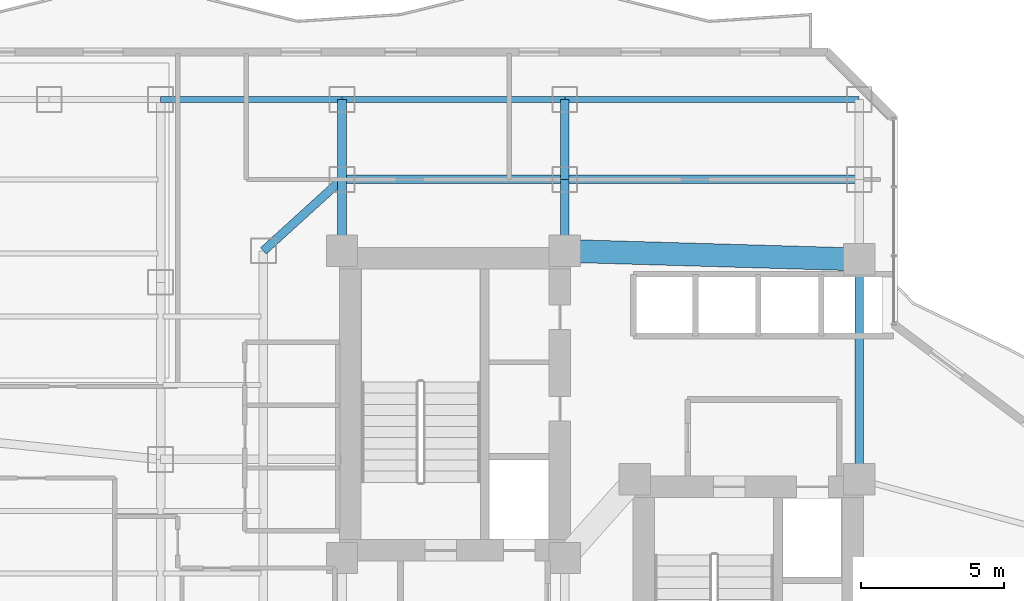
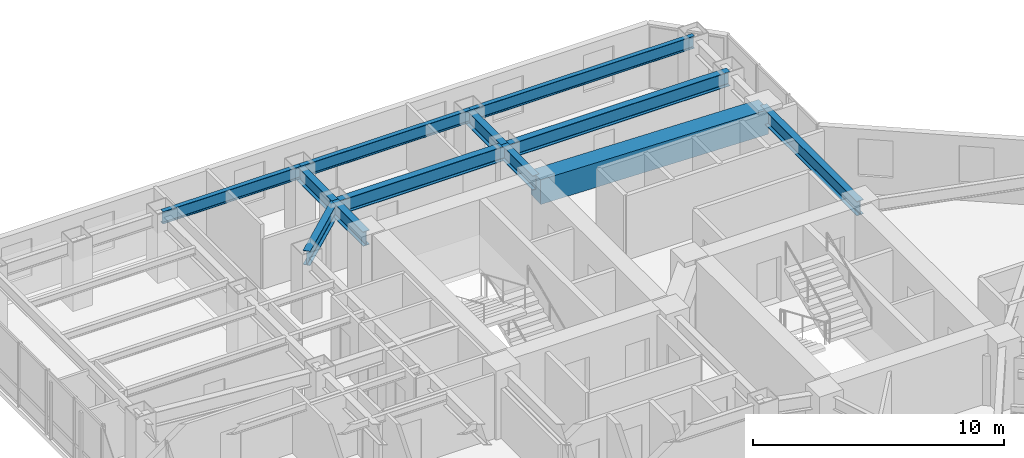
# One storey, part 18 of 31: 12 beams.
"""IFC4 building model written with IfcOpenShell, lengths in metres."""

from ifc_helpers import new_model, si_unit, direction, frame, origin, origin_2d, place, context, subcontext, project, spatial, rectangle, i_section, extrude, material, material_profile, profile_set, type_object, element, save


model = new_model("IFC4")

# Units and contexts
model_context = context("Model", 3, precision=1e-05, world=origin(), true_north=direction((0.0, 1.0)))
body_context = subcontext(model_context, "Body", "Model", "MODEL_VIEW")
ifc_project = project(units=[si_unit("LENGTHUNIT", "METRE"), si_unit("AREAUNIT", "SQUARE_METRE"), si_unit("VOLUMEUNIT", "CUBIC_METRE"), si_unit("PLANEANGLEUNIT", "RADIAN"), si_unit("MASSUNIT", "GRAM", prefix="KILO")], contexts=[model_context])

# Site, building, storey
site_placement = place(None, origin())
site = spatial("IfcSite", under=ifc_project, at=site_placement, CompositionType="ELEMENT")
building_placement = place(site_placement, origin())
building = spatial("IfcBuilding", under=site, at=building_placement, Name="Hatsunagi Terrace Concourse", CompositionType="ELEMENT")
storey_placement = place(building_placement, frame((0.0, 0.0, 77.949951171875)))
storey = spatial("IfcBuildingStorey", under=building, at=storey_placement, Name="L20", CompositionType="ELEMENT", Elevation=77.949951171875)

# Beams
ifc_material_1 = material(Name="Concrete Fc60", Category="concrete")
ifc_material_profile_1 = material_profile(ifc_material_1, rectangle(XDim=0.800048828125, YDim=1.199951171875, at=origin_2d()), Name="RC-800x1200")
ifc_profile_set_1 = profile_set([ifc_material_profile_1], Name="Concrete Fc60")
beam_type_1 = type_object("IfcBeamType", Name="CoreCouplingBeam_RC_800x1200", PredefinedType="BEAM", material=ifc_profile_set_1)
beam_1_placement = place(storey_placement, frame((33.35009765625, 43.300048828125, 2.530029296875), z_axis=(0.999575947545, -0.029119153303, 0.0), x_axis=(0.029119153303, 0.999575947545, 0.0)))
element("IfcBeam", 1, at=beam_1_placement, inside=storey, type_object=beam_type_1, Name="Beam CB-01 CB-L20-2", PredefinedType="BEAM", context=body_context, shape_type="SweptSolid", body=[
    extrude(rectangle(XDim=0.800048828125, YDim=1.199951171875, at=origin_2d()), origin(), (0.0, 0.0, 1.0), 10.30419921875),
])
ifc_material_2 = material(Name="Steel SN490B", Category="steel")
ifc_material_profile_2 = material_profile(ifc_material_2, i_section(OverallWidth=0.300048828125, OverallDepth=0.699951171875, WebThickness=0.012939453125, FlangeThickness=0.02392578125, FilletRadius=0.02197265625, at=origin_2d()), Name="H-700x300x13x24")
ifc_profile_set_2 = profile_set([ifc_material_profile_2], Name="Steel SN490B")
beam_type_2 = type_object("IfcBeamType", Name="HotelFloorGirder_H_700x300", PredefinedType="BEAM", material=ifc_profile_set_2)
beam_2_placement = place(storey_placement, frame((43.64990234375, 35.300048828125, 2.780029296875), z_axis=(0.0, 1.0, 0.0), x_axis=(-1.0, 0.0, 0.0)))
element("IfcBeam", 2, at=beam_2_placement, inside=storey, type_object=beam_type_2, Name="Beam G-04 BM-L20-CBK3", PredefinedType="BEAM", context=body_context, shape_type="SweptSolid", body=[
    extrude(i_section(OverallWidth=0.300048828125, OverallDepth=0.699951171875, WebThickness=0.012939453125, FlangeThickness=0.02392578125, FilletRadius=0.02197265625, at=origin_2d()), origin(), (0.0, 0.0, 1.0), 7.699951171875),
])
for number, where, z_axis, x_axis, name in (
    (3, (25.550048828125, 43.300048828125, 2.780029296875), (0.0, 1.0, 0.0), (-1.0, 0.0, 0.0), "Beam G-04 BM-L20-CN1"),
    (4, (33.35009765625, 43.300048828125, 2.780029296875), (0.0, 1.0, 0.0), (-1.0, 0.0, 0.0), "Beam G-04 BM-L20-CN2"),
):
    element("IfcBeam", number, at=place(storey_placement, frame(where, z_axis=z_axis, x_axis=x_axis)), inside=storey, type_object=beam_type_2, Name=name, PredefinedType="BEAM", context=body_context, shape_type="SweptSolid", body=[
        extrude(i_section(OverallWidth=0.300048828125, OverallDepth=0.699951171875, WebThickness=0.012939453125, FlangeThickness=0.02392578125, FilletRadius=0.02197265625, at=origin_2d()), origin(), (0.0, 0.0, 1.0), 2.5),
    ])
beam_3_placement = place(storey_placement, frame((25.550048828125, 45.800048828125, 2.780029296875), z_axis=(1.0, 0.0, 0.0), x_axis=(0.0, 1.0, 0.0)))
element("IfcBeam", 5, at=beam_3_placement, inside=storey, type_object=beam_type_2, Name="Beam G-04 BM-L20-CNEW1", PredefinedType="BEAM", context=body_context, shape_type="SweptSolid", body=[
    extrude(i_section(OverallWidth=0.300048828125, OverallDepth=0.699951171875, WebThickness=0.012939453125, FlangeThickness=0.02392578125, FilletRadius=0.02197265625, at=origin_2d()), origin(), (0.0, 0.0, 1.0), 7.800048828125),
])
beam_4_placement = place(storey_placement, frame((33.35009765625, 45.800048828125, 2.780029296875), z_axis=(1.0, 0.0, 0.0), x_axis=(0.0, 1.0, 0.0)))
element("IfcBeam", 6, at=beam_4_placement, inside=storey, type_object=beam_type_2, Name="Beam G-04 BM-L20-CNEW2", PredefinedType="BEAM", context=body_context, shape_type="SweptSolid", body=[
    extrude(i_section(OverallWidth=0.300048828125, OverallDepth=0.699951171875, WebThickness=0.012939453125, FlangeThickness=0.02392578125, FilletRadius=0.02197265625, at=origin_2d()), origin(), (0.0, 0.0, 1.0), 10.2998046875),
])
for number, where, z_axis, x_axis, name in (
    (7, (25.550048828125, 45.800048828125, 2.780029296875), (0.0, 1.0, 0.0), (-1.0, 0.0, 0.0), "Beam G-04 BM-L20-KN-WN4"),
    (8, (33.35009765625, 45.800048828125, 2.780029296875), (0.0, 1.0, 0.0), (-1.0, 0.0, 0.0), "Beam G-04 BM-L20-KN-WN5"),
):
    element("IfcBeam", number, at=place(storey_placement, frame(where, z_axis=z_axis, x_axis=x_axis)), inside=storey, type_object=beam_type_2, Name=name, PredefinedType="BEAM", context=body_context, shape_type="SweptSolid", body=[
        extrude(i_section(OverallWidth=0.300048828125, OverallDepth=0.699951171875, WebThickness=0.012939453125, FlangeThickness=0.02392578125, FilletRadius=0.02197265625, at=origin_2d()), origin(), (0.0, 0.0, 1.0), 2.800048828125),
    ])
beam_5_placement = place(storey_placement, frame((22.800048828125, 43.300048828125, 2.780029296875), z_axis=(0.739940073396, 0.672672793996, 0.0), x_axis=(-0.672672793996, 0.739940073396, 0.0)))
element("IfcBeam", 9, at=beam_5_placement, inside=storey, type_object=beam_type_2, Name="Beam G-04 BM-L20-CWEW-N", PredefinedType="BEAM", context=body_context, shape_type="SweptSolid", body=[
    extrude(i_section(OverallWidth=0.300048828125, OverallDepth=0.699951171875, WebThickness=0.012939453125, FlangeThickness=0.02392578125, FilletRadius=0.02197265625, at=origin_2d()), origin(), (0.0, 0.0, 1.0), 3.716552734375),
])
ifc_material_3 = material(Name="Steel SN490B", Category="steel")
ifc_material_profile_3 = material_profile(ifc_material_3, i_section(OverallWidth=0.199951171875, OverallDepth=0.60009765625, WebThickness=0.010986328125, FlangeThickness=0.01708984375, FilletRadius=0.01806640625, at=origin_2d()), Name="H-600x200x11x17")
ifc_profile_set_3 = profile_set([ifc_material_profile_3], Name="Steel SN490B")
beam_type_3 = type_object("IfcBeamType", Name="PerimeterSpandrel_H_600x200", PredefinedType="SPANDREL", material=ifc_profile_set_3)
beam_6_placement = place(storey_placement, frame((19.199951171875, 48.60009765625, 2.830078125), z_axis=(1.0, 0.0, 0.0), x_axis=(0.0, 1.0, 0.0)))
element("IfcBeam", 10, at=beam_6_placement, inside=storey, type_object=beam_type_3, Name="Beam SP-01 BM-L20-WN-19", PredefinedType="SPANDREL", context=body_context, shape_type="SweptSolid", body=[
    extrude(i_section(OverallWidth=0.199951171875, OverallDepth=0.60009765625, WebThickness=0.010986328125, FlangeThickness=0.01708984375, FilletRadius=0.01806640625, at=origin_2d()), origin(), (0.0, 0.0, 1.0), 6.35009765625),
])
beam_7_placement = place(storey_placement, frame((25.550048828125, 48.60009765625, 2.830078125), z_axis=(1.0, 0.0, 0.0), x_axis=(0.0, 1.0, 0.0)))
element("IfcBeam", 11, at=beam_7_placement, inside=storey, type_object=beam_type_3, Name="Beam SP-01 BM-L20-WN-25", PredefinedType="SPANDREL", context=body_context, shape_type="SweptSolid", body=[
    extrude(i_section(OverallWidth=0.199951171875, OverallDepth=0.60009765625, WebThickness=0.010986328125, FlangeThickness=0.01708984375, FilletRadius=0.01806640625, at=origin_2d()), origin(), (0.0, 0.0, 1.0), 7.800048828125),
])
beam_8_placement = place(storey_placement, frame((33.35009765625, 48.60009765625, 2.830078125), z_axis=(1.0, 0.0, 0.0), x_axis=(0.0, 1.0, 0.0)))
element("IfcBeam", 12, at=beam_8_placement, inside=storey, type_object=beam_type_3, Name="Beam SP-01 BM-L20-WN-33", PredefinedType="SPANDREL", context=body_context, shape_type="SweptSolid", body=[
    extrude(i_section(OverallWidth=0.199951171875, OverallDepth=0.60009765625, WebThickness=0.010986328125, FlangeThickness=0.01708984375, FilletRadius=0.01806640625, at=origin_2d()), origin(), (0.0, 0.0, 1.0), 10.2998046875),
])

save(model, "model.ifc")
